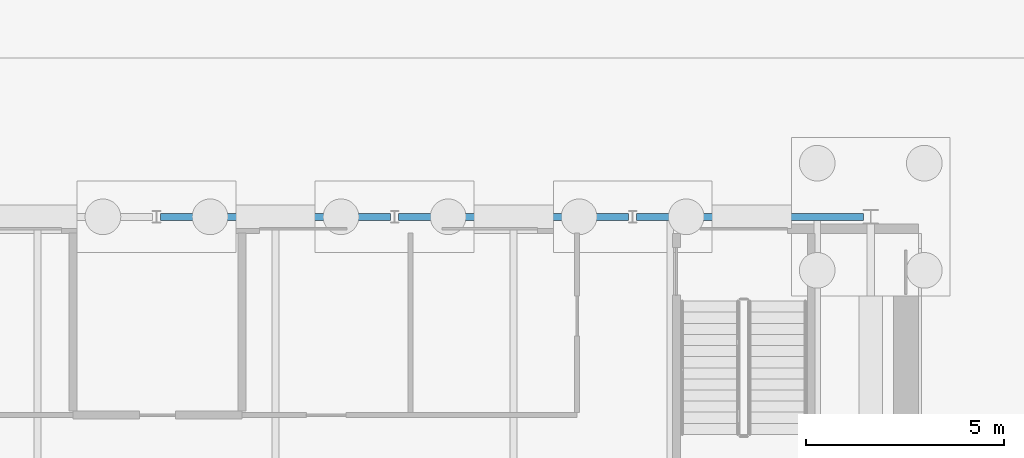
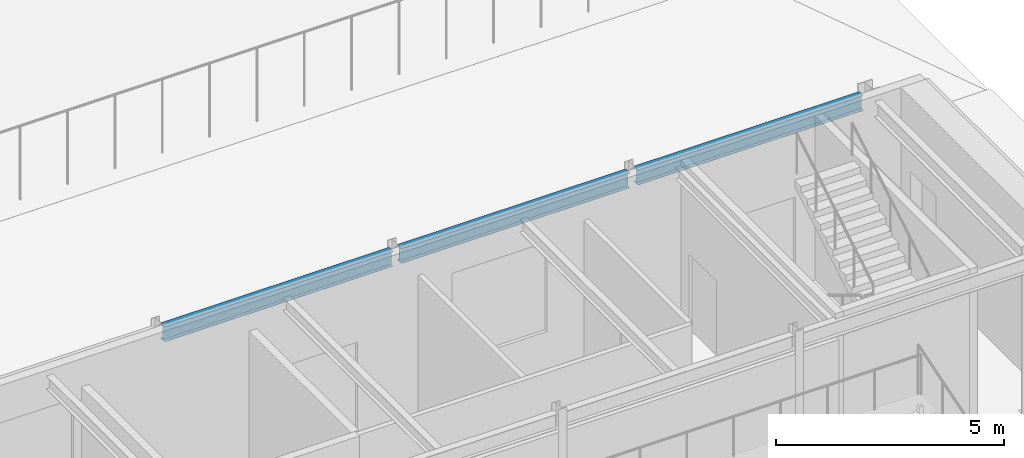
# One storey, part 61 of 139: 3 beams.
"""IFC4 building model written with IfcOpenShell, lengths in metres."""

from ifc_helpers import new_model, si_unit, direction, frame, origin, origin_2d, place, context, subcontext, project, spatial, i_section, extrude, material, material_profile, profile_set, type_object, element, save


model = new_model("IFC4")

# Units and contexts
model_context = context("Model", 3, precision=1e-05, world=origin(), true_north=direction((0.0, 1.0)))
body_context = subcontext(model_context, "Body", "Model", "MODEL_VIEW")
ifc_project = project(units=[si_unit("LENGTHUNIT", "METRE"), si_unit("AREAUNIT", "SQUARE_METRE"), si_unit("VOLUMEUNIT", "CUBIC_METRE"), si_unit("PLANEANGLEUNIT", "RADIAN"), si_unit("MASSUNIT", "GRAM", prefix="KILO")], contexts=[model_context])

# Site, building, storey
site_placement = place(None, origin())
site = spatial("IfcSite", under=ifc_project, at=site_placement, CompositionType="ELEMENT")
building_placement = place(site_placement, origin())
building = spatial("IfcBuilding", under=site, at=building_placement, Name="Verrick Yard Athletic Hall", CompositionType="ELEMENT")
storey_placement = place(building_placement, origin())
storey = spatial("IfcBuildingStorey", under=building, at=storey_placement, Name="L00", CompositionType="ELEMENT", Elevation=0.0)

# Beams
ifc_material = material(Name="Structural steel 350W (CSA G40.21)", Category="steel")
ifc_material_profile = material_profile(ifc_material, i_section(OverallWidth=0.177978515625, OverallDepth=0.406982421875, WebThickness=0.0078125, FlangeThickness=0.0126953125, at=origin_2d()), Name="W410x60")
ifc_profile_set = profile_set([ifc_material_profile], Name="Structural steel 350W (CSA G40.21)")
beam_type = type_object("IfcBeamType", Name="HB girder W410x60", PredefinedType="BEAM", material=ifc_profile_set)
for number, where, z_axis, x_axis, name in (
    (1, (151.702392578125, 108.0, 4.04638671875), (1.0, 0.0, 0.0), (0.0, 1.0, 0.0), "HB-GB-A-L01-N6"),
    (2, (157.702392578125, 108.0, 4.04638671875), (1.0, 0.0, 0.0), (0.0, 1.0, 0.0), "HB-GB-A-L01-N7"),
):
    element("IfcBeam", number, at=place(storey_placement, frame(where, z_axis=z_axis, x_axis=x_axis)), inside=storey, type_object=beam_type, Name=name, PredefinedType="BEAM", context=body_context, shape_type="SweptSolid", body=[
        extrude(i_section(OverallWidth=0.177978515625, OverallDepth=0.406982421875, WebThickness=0.0078125, FlangeThickness=0.0126953125, at=origin_2d()), origin(), (0.0, 0.0, 1.0), 5.795166015625),
    ])
beam_placement = place(storey_placement, frame((163.702392578125, 108.0, 4.04638671875), z_axis=(1.0, 0.0, 0.0), x_axis=(0.0, 1.0, 0.0)))
element("IfcBeam", 3, at=beam_placement, inside=storey, type_object=beam_type, Name="HB-GB-A-L01-N8", PredefinedType="BEAM", context=body_context, shape_type="SweptSolid", body=[
    extrude(i_section(OverallWidth=0.177978515625, OverallDepth=0.406982421875, WebThickness=0.0078125, FlangeThickness=0.0126953125, at=origin_2d()), origin(), (0.0, 0.0, 1.0), 5.713134765625),
])

save(model, "model.ifc")
